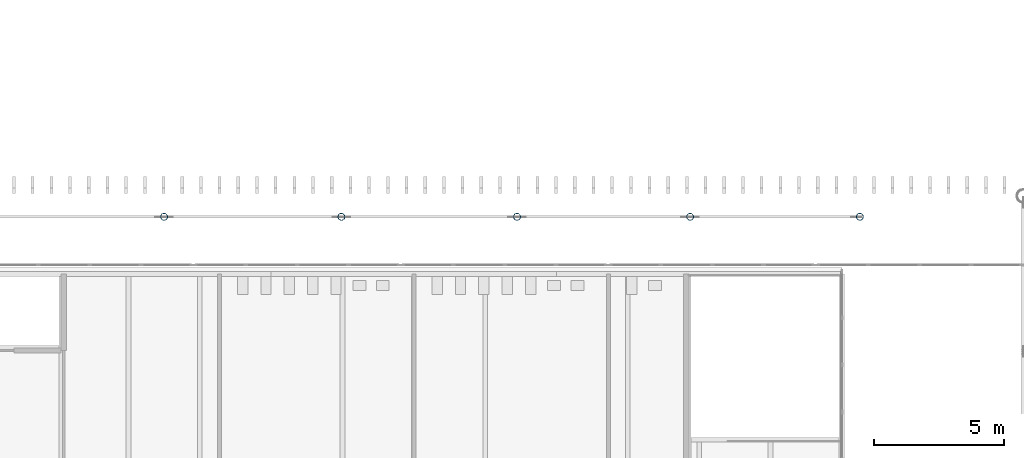
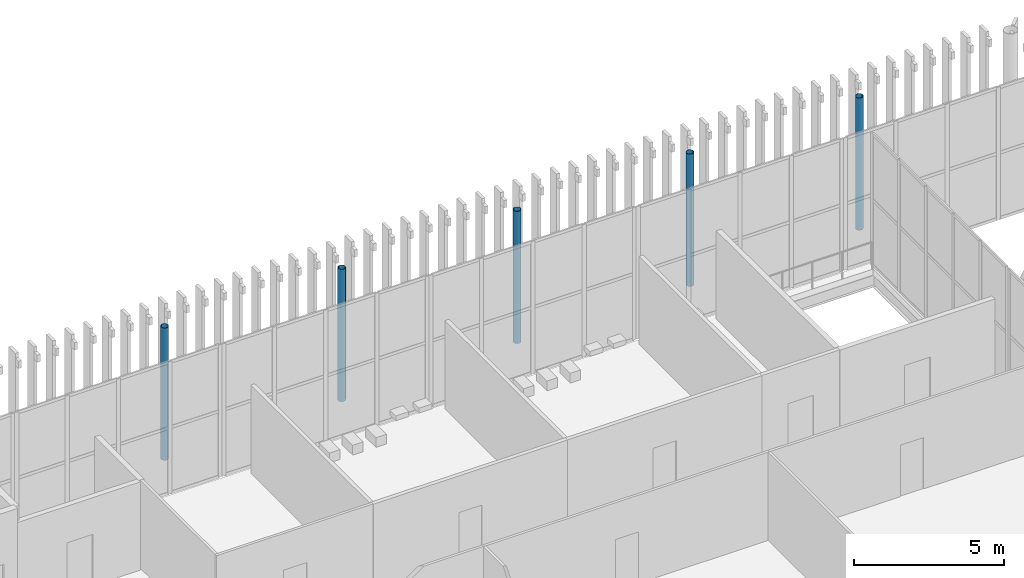
# One storey, part 22 of 170: 5 columns.
"""IFC4 building model written with IfcOpenShell, lengths in metres."""

from ifc_helpers import new_model, si_unit, direction, frame, origin, origin_2d, place, context, subcontext, project, spatial, hollow_circle, extrude, material, material_profile, profile_set, type_object, element, save


model = new_model("IFC4")

# Units and contexts
model_context = context("Model", 3, precision=1e-05, world=origin(), true_north=direction((0.0, 1.0)))
body_context = subcontext(model_context, "Body", "Model", "MODEL_VIEW")
ifc_project = project(units=[si_unit("LENGTHUNIT", "METRE"), si_unit("AREAUNIT", "SQUARE_METRE"), si_unit("VOLUMEUNIT", "CUBIC_METRE"), si_unit("PLANEANGLEUNIT", "RADIAN"), si_unit("MASSUNIT", "GRAM", prefix="KILO")], contexts=[model_context])

# Site, building, storey
site_placement = place(None, origin())
site = spatial("IfcSite", under=ifc_project, at=site_placement, CompositionType="ELEMENT")
building_placement = place(site_placement, origin())
building = spatial("IfcBuilding", under=site, at=building_placement, Name="Ravi Spectrum Wholesale Market", CompositionType="ELEMENT")
storey_placement = place(building_placement, frame((0.0, 0.0, 5.39990234375)))
storey = spatial("IfcBuildingStorey", under=building, at=storey_placement, Name="L01", CompositionType="ELEMENT", Elevation=5.39990234375)

# Columns
ifc_material = material(Name="Steel S355", Category="steel")
ifc_material_profile = material_profile(ifc_material, hollow_circle(Radius=0.136474609375, WallThickness=0.010009765625, at=origin_2d()))
ifc_profile_set = profile_set([ifc_material_profile], Name="Steel S355")
column_type = type_object("IfcColumnType", Name="CHS 273x10 column", PredefinedType="COLUMN", material=ifc_profile_set)
for number, where, z_axis, x_axis, name in (
    (1, (76.86962890625, 197.199951171875, 0.0), (0.0, 0.0, 1.0), (1.0, 0.0, 0.0), "H1-COL-L01-051"),
    (2, (83.706298828125, 197.199951171875, 0.0), (0.0, 0.0, 1.0), (1.0, 0.0, 0.0), "H1-COL-L01-052"),
    (3, (90.47802734375, 197.199951171875, 0.0), (0.0, 0.0, 1.0), (1.0, 0.0, 0.0), "H1-COL-L01-053"),
    (4, (97.152099609375, 197.199951171875, 0.0), (0.0, 0.0, 1.0), (1.0, 0.0, 0.0), "H1-COL-L01-054"),
    (5, (103.697021484375, 197.199951171875, 0.0), (0.0, 0.0, 1.0), (1.0, 0.0, 0.0), "H1-COL-L01-055"),
):
    element("IfcColumn", number, at=place(storey_placement, frame(where, z_axis=z_axis, x_axis=x_axis)), inside=storey, type_object=column_type, Name=name, PredefinedType="COLUMN", context=body_context, shape_type="SweptSolid", body=[
        extrude(hollow_circle(Radius=0.136474609375, WallThickness=0.010009765625, at=origin_2d()), origin(), (0.0, 0.0, 1.0), 5.400146484375),
    ])

save(model, "model.ifc")
